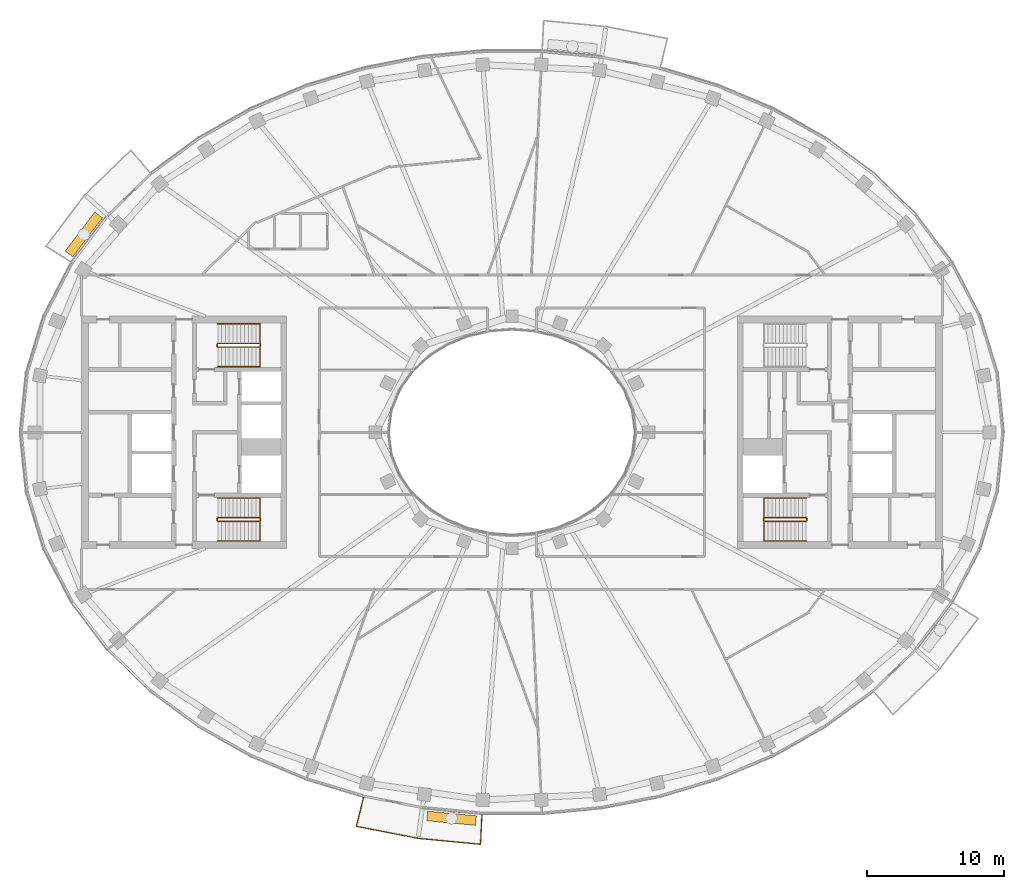
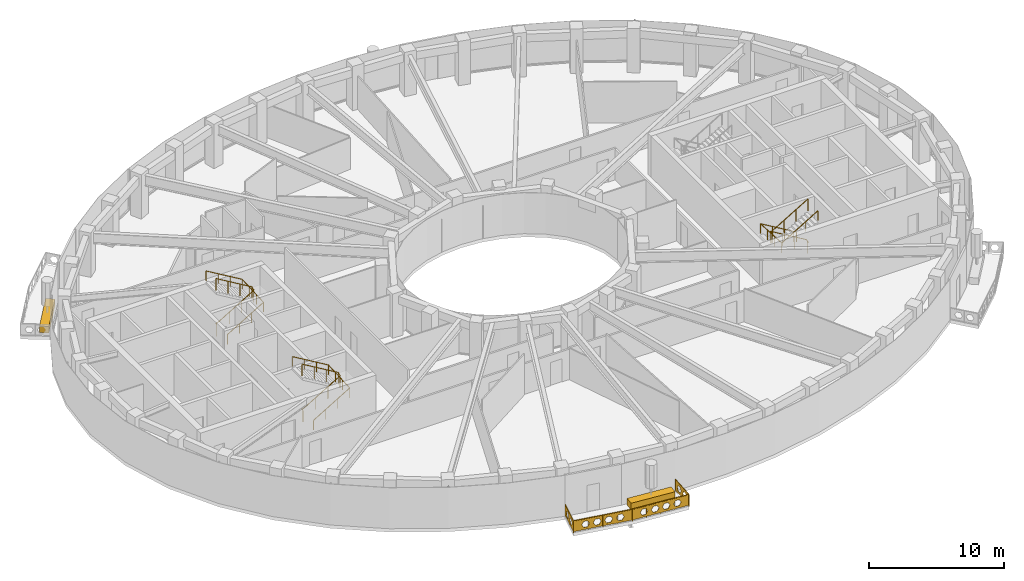
# One storey, part 14 of 16: 7 railings, 2 coverings.
"""IFC4 building model written with IfcOpenShell, lengths in metres."""

from ifc_helpers import new_model, si_unit, direction, frame, origin, origin_2d, place, context, subcontext, project, spatial, polyline, rectangle, outline, extrude, material, type_object, element, save


model = new_model("IFC4")

# Units and contexts
model_context = context("Model", 3, precision=1e-05, world=origin(), true_north=direction((0.0, 1.0)))
body_context = subcontext(model_context, "Body", "Model", "MODEL_VIEW")
ifc_project = project(units=[si_unit("LENGTHUNIT", "METRE"), si_unit("AREAUNIT", "SQUARE_METRE"), si_unit("VOLUMEUNIT", "CUBIC_METRE"), si_unit("PLANEANGLEUNIT", "RADIAN"), si_unit("MASSUNIT", "GRAM", prefix="KILO")], contexts=[model_context])

# Site, building, storey
site_placement = place(None, origin())
site = spatial("IfcSite", under=ifc_project, at=site_placement, CompositionType="ELEMENT")
building_placement = place(site_placement, origin())
building = spatial("IfcBuilding", under=site, at=building_placement, Name="Noorbagh Ring Tower", CompositionType="ELEMENT")
storey_placement = place(building_placement, frame((0.0, 0.0, 303.0)))
storey = spatial("IfcBuildingStorey", under=building, at=storey_placement, Name="L65", CompositionType="ELEMENT", Elevation=303.0)

# Railings
ifc_material_1 = material(Name="Stainless steel", Category="steel")
railing_type_1 = type_object("IfcRailingType", Name="CORE-STAIR-GUARD", PredefinedType="GUARDRAIL", material=ifc_material_1)
railing_1_placement = place(storey_placement, frame((-21.580078125, 6.300048828125, 0.0)))
element("IfcRailing", 1, at=railing_1_placement, inside=storey, type_object=railing_type_1, Name="L65 ST1 stair guard", PredefinedType="GUARDRAIL", context=body_context, shape_type="SweptSolid", body=[
    extrude(rectangle(XDim=0.048095703125, YDim=0.048095703125, at=origin_2d()), frame((0.0, 0.0, 1.076171875), z_axis=(0.0, 1.0, 0.0), x_axis=(-1.0, 0.0, 0.0)), (0.0, 0.0, 1.0), 0.14990234375),
    extrude(rectangle(XDim=0.048095703125, YDim=0.048095703125, at=origin_2d()), frame((0.0, 0.14990234375, 1.076171875), z_axis=(0.188775798145, -0.754182335027, 0.628945707965), x_axis=(0.970072785993, 0.242814311512, 0.0)), (0.0, 0.0, 1.0), 0.26513671875),
    extrude(rectangle(XDim=0.048095703125, YDim=0.048095703125, at=origin_2d()), frame((0.050048828125, -0.050048828125, 1.24267578125), z_axis=(0.859308565015, 0.0, 0.511457515432), x_axis=(0.0, 1.0, 0.0)), (0.0, 0.0, 1.0), 3.58447265625),
    extrude(rectangle(XDim=0.048095703125, YDim=0.048095703125, at=origin_2d()), frame((3.130126953125, -0.050048828125, 3.076171875), z_axis=(0.707106781187, 0.707106781187, 0.0), x_axis=(-0.707106781187, 0.707106781187, 0.0)), (0.0, 0.0, 1.0), 0.07080078125),
    extrude(rectangle(XDim=0.048095703125, YDim=0.048095703125, at=origin_2d()), frame((3.18017578125, 0.0, 3.076171875), z_axis=(0.0, 1.0, 0.0), x_axis=(-1.0, 0.0, 0.0)), (0.0, 0.0, 1.0), 0.14990234375),
    extrude(rectangle(XDim=0.048095703125, YDim=0.048095703125, at=origin_2d()), frame((3.18017578125, 0.14990234375, 3.076171875), z_axis=(-0.27628659633, 0.27628659633, 0.920506074601), x_axis=(-0.707106781187, -0.707106781187, 0.0)), (0.0, 0.0, 1.0), 0.18115234375),
    extrude(rectangle(XDim=0.048095703125, YDim=0.048095703125, at=origin_2d()), frame((3.130126953125, 0.199951171875, 3.24267578125), z_axis=(-0.859308565015, 0.0, 0.511457515432), x_axis=(0.0, -1.0, 0.0)), (0.0, 0.0, 1.0), 3.58447265625),
    extrude(rectangle(XDim=0.0419921875, YDim=0.0419921875, at=origin_2d()), origin(), (0.0, 0.0, 1.0), 1.052001953125),
    extrude(rectangle(XDim=0.0419921875, YDim=0.0419921875, at=origin_2d()), frame((1.07666015625, -0.050048828125, 0.77783203125)), (0.0, 0.0, 1.0), 1.052001953125),
    extrude(rectangle(XDim=0.0419921875, YDim=0.0419921875, at=origin_2d()), frame((2.103515625, -0.050048828125, 1.388916015625)), (0.0, 0.0, 1.0), 1.052001953125),
    extrude(rectangle(XDim=0.0419921875, YDim=0.0419921875, at=origin_2d()), frame((3.130126953125, -0.050048828125, 2.0)), (0.0, 0.0, 1.0), 1.052001953125),
    extrude(rectangle(XDim=0.0419921875, YDim=0.0419921875, at=origin_2d()), frame((3.130126953125, 0.199951171875, 2.166748046875)), (0.0, 0.0, 1.0), 1.052001953125),
    extrude(rectangle(XDim=0.0419921875, YDim=0.0419921875, at=origin_2d()), frame((2.103515625, 0.199951171875, 2.77783203125)), (0.0, 0.0, 1.0), 1.052001953125),
    extrude(rectangle(XDim=0.0419921875, YDim=0.0419921875, at=origin_2d()), frame((1.07666015625, 0.199951171875, 3.388916015625)), (0.0, 0.0, 1.0), 1.052001953125),
    extrude(rectangle(XDim=0.0419921875, YDim=0.0419921875, at=origin_2d()), frame((0.050048828125, 0.199951171875, 4.0)), (0.0, 0.0, 1.0), 1.052001953125),
])
railing_2_placement = place(storey_placement, frame((-21.580078125, -6.449951171875, 0.0)))
element("IfcRailing", 2, at=railing_2_placement, inside=storey, type_object=railing_type_1, Name="L65 ST2 stair guard", PredefinedType="GUARDRAIL", context=body_context, shape_type="SweptSolid", body=[
    extrude(rectangle(XDim=0.048095703125, YDim=0.048095703125, at=origin_2d()), frame((0.0, 0.0, 1.076171875), z_axis=(0.0, 1.0, 0.0), x_axis=(-1.0, 0.0, 0.0)), (0.0, 0.0, 1.0), 0.14990234375),
    extrude(rectangle(XDim=0.048095703125, YDim=0.048095703125, at=origin_2d()), frame((0.0, 0.14990234375, 1.076171875), z_axis=(0.188775798145, -0.754182335027, 0.628945707965), x_axis=(0.970072785993, 0.242814311512, 0.0)), (0.0, 0.0, 1.0), 0.26513671875),
    extrude(rectangle(XDim=0.048095703125, YDim=0.048095703125, at=origin_2d()), frame((0.050048828125, -0.050048828125, 1.24267578125), z_axis=(0.859308565015, 0.0, 0.511457515432), x_axis=(0.0, 1.0, 0.0)), (0.0, 0.0, 1.0), 3.58447265625),
    extrude(rectangle(XDim=0.048095703125, YDim=0.048095703125, at=origin_2d()), frame((3.130126953125, -0.050048828125, 3.076171875), z_axis=(0.707106781187, 0.707106781187, 0.0), x_axis=(-0.707106781187, 0.707106781187, 0.0)), (0.0, 0.0, 1.0), 0.07080078125),
    extrude(rectangle(XDim=0.048095703125, YDim=0.048095703125, at=origin_2d()), frame((3.18017578125, 0.0, 3.076171875), z_axis=(0.0, 1.0, 0.0), x_axis=(-1.0, 0.0, 0.0)), (0.0, 0.0, 1.0), 0.14990234375),
    extrude(rectangle(XDim=0.048095703125, YDim=0.048095703125, at=origin_2d()), frame((3.18017578125, 0.14990234375, 3.076171875), z_axis=(-0.27628659633, 0.27628659633, 0.920506074601), x_axis=(-0.707106781187, -0.707106781187, 0.0)), (0.0, 0.0, 1.0), 0.18115234375),
    extrude(rectangle(XDim=0.048095703125, YDim=0.048095703125, at=origin_2d()), frame((3.130126953125, 0.199951171875, 3.24267578125), z_axis=(-0.859308565015, 0.0, 0.511457515432), x_axis=(0.0, -1.0, 0.0)), (0.0, 0.0, 1.0), 3.58447265625),
    extrude(rectangle(XDim=0.0419921875, YDim=0.0419921875, at=origin_2d()), origin(), (0.0, 0.0, 1.0), 1.052001953125),
    extrude(rectangle(XDim=0.0419921875, YDim=0.0419921875, at=origin_2d()), frame((1.07666015625, -0.050048828125, 0.77783203125)), (0.0, 0.0, 1.0), 1.052001953125),
    extrude(rectangle(XDim=0.0419921875, YDim=0.0419921875, at=origin_2d()), frame((2.103515625, -0.050048828125, 1.388916015625)), (0.0, 0.0, 1.0), 1.052001953125),
    extrude(rectangle(XDim=0.0419921875, YDim=0.0419921875, at=origin_2d()), frame((3.130126953125, -0.050048828125, 2.0)), (0.0, 0.0, 1.0), 1.052001953125),
    extrude(rectangle(XDim=0.0419921875, YDim=0.0419921875, at=origin_2d()), frame((3.130126953125, 0.199951171875, 2.166748046875)), (0.0, 0.0, 1.0), 1.052001953125),
    extrude(rectangle(XDim=0.0419921875, YDim=0.0419921875, at=origin_2d()), frame((2.103515625, 0.199951171875, 2.77783203125)), (0.0, 0.0, 1.0), 1.052001953125),
    extrude(rectangle(XDim=0.0419921875, YDim=0.0419921875, at=origin_2d()), frame((1.07666015625, 0.199951171875, 3.388916015625)), (0.0, 0.0, 1.0), 1.052001953125),
    extrude(rectangle(XDim=0.0419921875, YDim=0.0419921875, at=origin_2d()), frame((0.050048828125, 0.199951171875, 4.0)), (0.0, 0.0, 1.0), 1.052001953125),
])
railing_3_placement = place(storey_placement, frame((21.580078125, -6.300048828125, 0.0)))
element("IfcRailing", 3, at=railing_3_placement, inside=storey, type_object=railing_type_1, Name="L65 ST4 stair guard", PredefinedType="GUARDRAIL", context=body_context, shape_type="SweptSolid", body=[
    extrude(rectangle(XDim=0.048095703125, YDim=0.048095703125, at=origin_2d()), frame((0.0, 0.0, 1.076171875), z_axis=(0.0, -1.0, 0.0), x_axis=(1.0, 0.0, 0.0)), (0.0, 0.0, 1.0), 0.14990234375),
    extrude(rectangle(XDim=0.048095703125, YDim=0.048095703125, at=origin_2d()), frame((0.0, -0.14990234375, 1.076171875), z_axis=(-0.188775798145, 0.754182335027, 0.628945707965), x_axis=(-0.970072785993, -0.242814311512, 0.0)), (0.0, 0.0, 1.0), 0.26513671875),
    extrude(rectangle(XDim=0.048095703125, YDim=0.048095703125, at=origin_2d()), frame((-0.050048828125, 0.050048828125, 1.24267578125), z_axis=(-0.859308565015, 0.0, 0.511457515432), x_axis=(0.0, -1.0, 0.0)), (0.0, 0.0, 1.0), 3.58447265625),
    extrude(rectangle(XDim=0.048095703125, YDim=0.048095703125, at=origin_2d()), frame((-3.130126953125, 0.050048828125, 3.076171875), z_axis=(-0.707106781187, -0.707106781187, 0.0), x_axis=(0.707106781187, -0.707106781187, 0.0)), (0.0, 0.0, 1.0), 0.07080078125),
    extrude(rectangle(XDim=0.048095703125, YDim=0.048095703125, at=origin_2d()), frame((-3.18017578125, 0.0, 3.076171875), z_axis=(0.0, -1.0, 0.0), x_axis=(1.0, 0.0, 0.0)), (0.0, 0.0, 1.0), 0.14990234375),
    extrude(rectangle(XDim=0.048095703125, YDim=0.048095703125, at=origin_2d()), frame((-3.18017578125, -0.14990234375, 3.076171875), z_axis=(0.27628659633, -0.27628659633, 0.920506074601), x_axis=(0.707106781187, 0.707106781187, 0.0)), (0.0, 0.0, 1.0), 0.18115234375),
    extrude(rectangle(XDim=0.048095703125, YDim=0.048095703125, at=origin_2d()), frame((-3.130126953125, -0.199951171875, 3.24267578125), z_axis=(0.859308565015, 0.0, 0.511457515432), x_axis=(0.0, 1.0, 0.0)), (0.0, 0.0, 1.0), 3.58447265625),
    extrude(rectangle(XDim=0.0419921875, YDim=0.0419921875, at=origin_2d()), origin(), (0.0, 0.0, 1.0), 1.052001953125),
    extrude(rectangle(XDim=0.0419921875, YDim=0.0419921875, at=origin_2d()), frame((-1.07666015625, 0.050048828125, 0.77783203125)), (0.0, 0.0, 1.0), 1.052001953125),
    extrude(rectangle(XDim=0.0419921875, YDim=0.0419921875, at=origin_2d()), frame((-2.103515625, 0.050048828125, 1.388916015625)), (0.0, 0.0, 1.0), 1.052001953125),
    extrude(rectangle(XDim=0.0419921875, YDim=0.0419921875, at=origin_2d()), frame((-3.130126953125, 0.050048828125, 2.0)), (0.0, 0.0, 1.0), 1.052001953125),
    extrude(rectangle(XDim=0.0419921875, YDim=0.0419921875, at=origin_2d()), frame((-3.130126953125, -0.199951171875, 2.166748046875)), (0.0, 0.0, 1.0), 1.052001953125),
    extrude(rectangle(XDim=0.0419921875, YDim=0.0419921875, at=origin_2d()), frame((-2.103515625, -0.199951171875, 2.77783203125)), (0.0, 0.0, 1.0), 1.052001953125),
    extrude(rectangle(XDim=0.0419921875, YDim=0.0419921875, at=origin_2d()), frame((-1.07666015625, -0.199951171875, 3.388916015625)), (0.0, 0.0, 1.0), 1.052001953125),
    extrude(rectangle(XDim=0.0419921875, YDim=0.0419921875, at=origin_2d()), frame((-0.050048828125, -0.199951171875, 4.0)), (0.0, 0.0, 1.0), 1.052001953125),
])
ifc_material_2 = material(Name="Stainless steel", Category="steel")
railing_type_2 = type_object("IfcRailingType", Name="CORE-STAIR-HANDRAIL", PredefinedType="HANDRAIL", material=ifc_material_2)
railing_4_placement = place(storey_placement, frame((-21.530029296875, 4.800048828125, 0.166748046875)))
element("IfcRailing", 4, at=railing_4_placement, inside=storey, type_object=railing_type_2, Name="L65 ST1 stair handrail", PredefinedType="HANDRAIL", context=body_context, shape_type="SweptSolid", body=[
    extrude(rectangle(XDim=0.048095703125, YDim=0.048095703125, at=origin_2d()), frame((0.0, 0.0, 0.8759765625), z_axis=(0.859308565015, 0.0, 0.511457515432), x_axis=(0.0, 1.0, 0.0)), (0.0, 0.0, 1.0), 3.58447265625),
    extrude(rectangle(XDim=0.048095703125, YDim=0.048095703125, at=origin_2d()), frame((3.080078125, 0.0, 2.708984375), z_axis=(0.0, 0.998601747152, 0.052863509014), x_axis=(-1.0, 0.0, 0.0)), (0.0, 0.0, 1.0), 3.154296875),
    extrude(rectangle(XDim=0.048095703125, YDim=0.048095703125, at=origin_2d()), frame((3.080078125, 3.14990234375, 2.8759765625), z_axis=(-0.859308565015, 0.0, 0.511457515432), x_axis=(0.0, -1.0, 0.0)), (0.0, 0.0, 1.0), 3.58447265625),
    extrude(rectangle(XDim=0.0419921875, YDim=0.0419921875, at=origin_2d()), origin(), (0.0, 0.0, 1.0), 0.851806640625),
    extrude(rectangle(XDim=0.0419921875, YDim=0.0419921875, at=origin_2d()), frame((1.026611328125, 0.0, 0.611083984375)), (0.0, 0.0, 1.0), 0.851806640625),
    extrude(rectangle(XDim=0.0419921875, YDim=0.0419921875, at=origin_2d()), frame((2.053466796875, 0.0, 1.22216796875)), (0.0, 0.0, 1.0), 0.851806640625),
    extrude(rectangle(XDim=0.0419921875, YDim=0.0419921875, at=origin_2d()), frame((3.080078125, 0.0, 1.833251953125)), (0.0, 0.0, 1.0), 0.851806640625),
    extrude(rectangle(XDim=0.0419921875, YDim=0.0419921875, at=origin_2d()), frame((3.080078125, 1.050048828125, 1.888916015625)), (0.0, 0.0, 1.0), 0.851806640625),
    extrude(rectangle(XDim=0.0419921875, YDim=0.0419921875, at=origin_2d()), frame((3.080078125, 2.099853515625, 1.9443359375)), (0.0, 0.0, 1.0), 0.851806640625),
    extrude(rectangle(XDim=0.0419921875, YDim=0.0419921875, at=origin_2d()), frame((3.080078125, 3.14990234375, 2.0)), (0.0, 0.0, 1.0), 0.851806640625),
    extrude(rectangle(XDim=0.0419921875, YDim=0.0419921875, at=origin_2d()), frame((2.053466796875, 3.14990234375, 2.611083984375)), (0.0, 0.0, 1.0), 0.851806640625),
    extrude(rectangle(XDim=0.0419921875, YDim=0.0419921875, at=origin_2d()), frame((1.026611328125, 3.14990234375, 3.22216796875)), (0.0, 0.0, 1.0), 0.851806640625),
    extrude(rectangle(XDim=0.0419921875, YDim=0.0419921875, at=origin_2d()), frame((0.0, 3.14990234375, 3.833251953125)), (0.0, 0.0, 1.0), 0.851806640625),
])
railing_5_placement = place(storey_placement, frame((-21.530029296875, -7.949951171875, 0.166748046875)))
element("IfcRailing", 5, at=railing_5_placement, inside=storey, type_object=railing_type_2, Name="L65 ST2 stair handrail", PredefinedType="HANDRAIL", context=body_context, shape_type="SweptSolid", body=[
    extrude(rectangle(XDim=0.048095703125, YDim=0.048095703125, at=origin_2d()), frame((0.0, 0.0, 0.8759765625), z_axis=(0.859308565015, 0.0, 0.511457515432), x_axis=(0.0, 1.0, 0.0)), (0.0, 0.0, 1.0), 3.58447265625),
    extrude(rectangle(XDim=0.048095703125, YDim=0.048095703125, at=origin_2d()), frame((3.080078125, 0.0, 2.708984375), z_axis=(0.0, 0.998601747152, 0.052863509014), x_axis=(-1.0, 0.0, 0.0)), (0.0, 0.0, 1.0), 3.154296875),
    extrude(rectangle(XDim=0.048095703125, YDim=0.048095703125, at=origin_2d()), frame((3.080078125, 3.14990234375, 2.8759765625), z_axis=(-0.859308565015, 0.0, 0.511457515432), x_axis=(0.0, -1.0, 0.0)), (0.0, 0.0, 1.0), 3.58447265625),
    extrude(rectangle(XDim=0.0419921875, YDim=0.0419921875, at=origin_2d()), origin(), (0.0, 0.0, 1.0), 0.851806640625),
    extrude(rectangle(XDim=0.0419921875, YDim=0.0419921875, at=origin_2d()), frame((1.026611328125, 0.0, 0.611083984375)), (0.0, 0.0, 1.0), 0.851806640625),
    extrude(rectangle(XDim=0.0419921875, YDim=0.0419921875, at=origin_2d()), frame((2.053466796875, 0.0, 1.22216796875)), (0.0, 0.0, 1.0), 0.851806640625),
    extrude(rectangle(XDim=0.0419921875, YDim=0.0419921875, at=origin_2d()), frame((3.080078125, 0.0, 1.833251953125)), (0.0, 0.0, 1.0), 0.851806640625),
    extrude(rectangle(XDim=0.0419921875, YDim=0.0419921875, at=origin_2d()), frame((3.080078125, 1.050048828125, 1.888916015625)), (0.0, 0.0, 1.0), 0.851806640625),
    extrude(rectangle(XDim=0.0419921875, YDim=0.0419921875, at=origin_2d()), frame((3.080078125, 2.099853515625, 1.9443359375)), (0.0, 0.0, 1.0), 0.851806640625),
    extrude(rectangle(XDim=0.0419921875, YDim=0.0419921875, at=origin_2d()), frame((3.080078125, 3.14990234375, 2.0)), (0.0, 0.0, 1.0), 0.851806640625),
    extrude(rectangle(XDim=0.0419921875, YDim=0.0419921875, at=origin_2d()), frame((2.053466796875, 3.14990234375, 2.611083984375)), (0.0, 0.0, 1.0), 0.851806640625),
    extrude(rectangle(XDim=0.0419921875, YDim=0.0419921875, at=origin_2d()), frame((1.026611328125, 3.14990234375, 3.22216796875)), (0.0, 0.0, 1.0), 0.851806640625),
    extrude(rectangle(XDim=0.0419921875, YDim=0.0419921875, at=origin_2d()), frame((0.0, 3.14990234375, 3.833251953125)), (0.0, 0.0, 1.0), 0.851806640625),
])
railing_6_placement = place(storey_placement, frame((21.530029296875, -4.800048828125, 0.166748046875)))
element("IfcRailing", 6, at=railing_6_placement, inside=storey, type_object=railing_type_2, Name="L65 ST4 stair handrail", PredefinedType="HANDRAIL", context=body_context, shape_type="SweptSolid", body=[
    extrude(rectangle(XDim=0.048095703125, YDim=0.048095703125, at=origin_2d()), frame((0.0, 0.0, 0.8759765625), z_axis=(-0.859308565015, 0.0, 0.511457515432), x_axis=(0.0, -1.0, 0.0)), (0.0, 0.0, 1.0), 3.58447265625),
    extrude(rectangle(XDim=0.048095703125, YDim=0.048095703125, at=origin_2d()), frame((-3.080078125, 0.0, 2.708984375), z_axis=(0.0, -0.998601747152, 0.052863509014), x_axis=(1.0, 0.0, 0.0)), (0.0, 0.0, 1.0), 3.154296875),
    extrude(rectangle(XDim=0.048095703125, YDim=0.048095703125, at=origin_2d()), frame((-3.080078125, -3.14990234375, 2.8759765625), z_axis=(0.859308565015, 0.0, 0.511457515432), x_axis=(0.0, 1.0, 0.0)), (0.0, 0.0, 1.0), 3.58447265625),
    extrude(rectangle(XDim=0.0419921875, YDim=0.0419921875, at=origin_2d()), origin(), (0.0, 0.0, 1.0), 0.851806640625),
    extrude(rectangle(XDim=0.0419921875, YDim=0.0419921875, at=origin_2d()), frame((-1.026611328125, 0.0, 0.611083984375)), (0.0, 0.0, 1.0), 0.851806640625),
    extrude(rectangle(XDim=0.0419921875, YDim=0.0419921875, at=origin_2d()), frame((-2.053466796875, 0.0, 1.22216796875)), (0.0, 0.0, 1.0), 0.851806640625),
    extrude(rectangle(XDim=0.0419921875, YDim=0.0419921875, at=origin_2d()), frame((-3.080078125, 0.0, 1.833251953125)), (0.0, 0.0, 1.0), 0.851806640625),
    extrude(rectangle(XDim=0.0419921875, YDim=0.0419921875, at=origin_2d()), frame((-3.080078125, -1.050048828125, 1.888916015625)), (0.0, 0.0, 1.0), 0.851806640625),
    extrude(rectangle(XDim=0.0419921875, YDim=0.0419921875, at=origin_2d()), frame((-3.080078125, -2.099853515625, 1.9443359375)), (0.0, 0.0, 1.0), 0.851806640625),
    extrude(rectangle(XDim=0.0419921875, YDim=0.0419921875, at=origin_2d()), frame((-3.080078125, -3.14990234375, 2.0)), (0.0, 0.0, 1.0), 0.851806640625),
    extrude(rectangle(XDim=0.0419921875, YDim=0.0419921875, at=origin_2d()), frame((-2.053466796875, -3.14990234375, 2.611083984375)), (0.0, 0.0, 1.0), 0.851806640625),
    extrude(rectangle(XDim=0.0419921875, YDim=0.0419921875, at=origin_2d()), frame((-1.026611328125, -3.14990234375, 3.22216796875)), (0.0, 0.0, 1.0), 0.851806640625),
    extrude(rectangle(XDim=0.0419921875, YDim=0.0419921875, at=origin_2d()), frame((0.0, -3.14990234375, 3.833251953125)), (0.0, 0.0, 1.0), 0.851806640625),
])
ifc_material_3 = material(Name="Steel S275 black powder-coated", Category="steel")
railing_type_3 = type_object("IfcRailingType", Name="ENV-GUARD", PredefinedType="GUARDRAIL", material=ifc_material_3)
railing_7_placement = place(storey_placement, frame((-10.865234375, -26.6943359375, 0.0)))
element("IfcRailing", 7, at=railing_7_placement, inside=storey, type_object=railing_type_3, Name="Balcony guard BS03", PredefinedType="GUARDRAIL", context=body_context, shape_type="SweptSolid", body=[
    extrude(rectangle(XDim=0.048095703125, YDim=0.048095703125, at=origin_2d()), frame((0.0, 0.0, 1.076171875), z_axis=(-0.239848558412, -0.970810315679, 0.0), x_axis=(0.970810315679, -0.239848558412, 0.0)), (0.0, 0.0, 1.0), 2.20263671875),
    extrude(rectangle(XDim=0.048095703125, YDim=0.048095703125, at=origin_2d()), frame((-0.5283203125, -2.138427734375, 1.076171875), z_axis=(0.981625049064, -0.1908199755, 0.0), x_axis=(0.1908199755, 0.981625049064, 0.0)), (0.0, 0.0, 1.0), 4.603271484375),
    extrude(rectangle(XDim=0.048095703125, YDim=0.048095703125, at=origin_2d()), frame((3.990478515625, -3.016845703125, 1.076171875), z_axis=(0.995477555764, -0.094997031379, 0.0), x_axis=(0.094997031379, 0.995477555764, 0.0)), (0.0, 0.0, 1.0), 4.59765625),
    extrude(rectangle(XDim=0.048095703125, YDim=0.048095703125, at=origin_2d()), frame((8.5673828125, -3.45361328125, 1.076171875), z_axis=(0.047554616162, 0.998868639252, 0.0), x_axis=(-0.998868639252, 0.047554616162, 0.0)), (0.0, 0.0, 1.0), 2.202392578125),
    extrude(rectangle(XDim=0.0419921875, YDim=0.0419921875, at=origin_2d()), origin(), (0.0, 0.0, 1.0), 1.052001953125),
    extrude(rectangle(XDim=0.0419921875, YDim=0.0419921875, at=origin_2d()), frame((-0.26416015625, -1.0693359375, 0.0)), (0.0, 0.0, 1.0), 1.052001953125),
    extrude(rectangle(XDim=0.0419921875, YDim=0.0419921875, at=origin_2d()), frame((-0.5283203125, -2.138427734375, 0.0)), (0.0, 0.0, 1.0), 1.052001953125),
    extrude(rectangle(XDim=0.0419921875, YDim=0.0419921875, at=origin_2d()), frame((0.601318359375, -2.35791015625, 0.0)), (0.0, 0.0, 1.0), 1.052001953125),
    extrude(rectangle(XDim=0.0419921875, YDim=0.0419921875, at=origin_2d()), frame((1.73095703125, -2.57763671875, 0.0)), (0.0, 0.0, 1.0), 1.052001953125),
    extrude(rectangle(XDim=0.0419921875, YDim=0.0419921875, at=origin_2d()), frame((2.86083984375, -2.79736328125, 0.0)), (0.0, 0.0, 1.0), 1.052001953125),
    extrude(rectangle(XDim=0.0419921875, YDim=0.0419921875, at=origin_2d()), frame((3.990478515625, -3.016845703125, 0.0)), (0.0, 0.0, 1.0), 1.052001953125),
    extrude(rectangle(XDim=0.0419921875, YDim=0.0419921875, at=origin_2d()), frame((5.134765625, -3.1259765625, 0.0)), (0.0, 0.0, 1.0), 1.052001953125),
    extrude(rectangle(XDim=0.0419921875, YDim=0.0419921875, at=origin_2d()), frame((6.27880859375, -3.2353515625, 0.0)), (0.0, 0.0, 1.0), 1.052001953125),
    extrude(rectangle(XDim=0.0419921875, YDim=0.0419921875, at=origin_2d()), frame((7.423095703125, -3.344482421875, 0.0)), (0.0, 0.0, 1.0), 1.052001953125),
    extrude(rectangle(XDim=0.0419921875, YDim=0.0419921875, at=origin_2d()), frame((8.5673828125, -3.45361328125, 0.0)), (0.0, 0.0, 1.0), 1.052001953125),
    extrude(rectangle(XDim=0.0419921875, YDim=0.0419921875, at=origin_2d()), frame((8.61962890625, -2.353515625, 0.0)), (0.0, 0.0, 1.0), 1.052001953125),
    extrude(rectangle(XDim=0.0419921875, YDim=0.0419921875, at=origin_2d()), frame((8.672119140625, -1.253662109375, 0.0)), (0.0, 0.0, 1.0), 1.052001953125),
    extrude(outline(polyline([(0.0, 0.10009765625), (2.20263671875, 0.10009765625), (2.20263671875, 1.031982421875), (0.0, 1.031982421875), (0.0, 0.10009765625)]), holes=[polyline([(0.96142578125, 0.56591796875), (0.806396484375, 0.83447265625), (0.496337890625, 0.83447265625), (0.34130859375, 0.56591796875), (0.496337890625, 0.297607421875), (0.806396484375, 0.297607421875), (0.96142578125, 0.56591796875)]), polyline([(1.861328125, 0.56591796875), (1.706298828125, 0.83447265625), (1.396240234375, 0.83447265625), (1.241455078125, 0.56591796875), (1.396240234375, 0.297607421875), (1.706298828125, 0.297607421875), (1.861328125, 0.56591796875)])]), frame((0.009765625, -0.00244140625, 0.0), z_axis=(-0.970810315679, 0.239848558412, 0.0), x_axis=(-0.239848558412, -0.970810315679, 0.0)), (0.0, 0.0, 1.0), 0.02001953125),
    extrude(outline(polyline([(0.0, 0.10009765625), (4.603271484375, 0.10009765625), (4.603271484375, 1.031982421875), (0.0, 1.031982421875), (0.0, 0.10009765625)]), holes=[polyline([(1.26171875, 0.56591796875), (1.106689453125, 0.83447265625), (0.796630859375, 0.83447265625), (0.6416015625, 0.56591796875), (0.796630859375, 0.297607421875), (1.106689453125, 0.297607421875), (1.26171875, 0.56591796875)]), polyline([(2.16162109375, 0.56591796875), (2.006591796875, 0.83447265625), (1.69677734375, 0.83447265625), (1.541748046875, 0.56591796875), (1.69677734375, 0.297607421875), (2.006591796875, 0.297607421875), (2.16162109375, 0.56591796875)]), polyline([(3.061767578125, 0.56591796875), (2.90673828125, 0.83447265625), (2.5966796875, 0.83447265625), (2.441650390625, 0.56591796875), (2.5966796875, 0.297607421875), (2.90673828125, 0.297607421875), (3.061767578125, 0.56591796875)]), polyline([(3.961669921875, 0.56591796875), (3.806640625, 0.83447265625), (3.49658203125, 0.83447265625), (3.341796875, 0.56591796875), (3.49658203125, 0.297607421875), (3.806640625, 0.297607421875), (3.961669921875, 0.56591796875)])]), frame((-0.5263671875, -2.128662109375, 0.0), z_axis=(-0.1908199755, -0.981625049064, 0.0), x_axis=(0.981625049064, -0.1908199755, 0.0)), (0.0, 0.0, 1.0), 0.02001953125),
    extrude(outline(polyline([(0.0, 0.10009765625), (4.59765625, 0.10009765625), (4.59765625, 1.031982421875), (0.0, 1.031982421875), (0.0, 0.10009765625)]), holes=[polyline([(1.2587890625, 0.56591796875), (1.103759765625, 0.83447265625), (0.7939453125, 0.83447265625), (0.638916015625, 0.56591796875), (0.7939453125, 0.297607421875), (1.103759765625, 0.297607421875), (1.2587890625, 0.56591796875)]), polyline([(2.158935546875, 0.56591796875), (2.00390625, 0.83447265625), (1.69384765625, 0.83447265625), (1.538818359375, 0.56591796875), (1.69384765625, 0.297607421875), (2.00390625, 0.297607421875), (2.158935546875, 0.56591796875)]), polyline([(3.058837890625, 0.56591796875), (2.90380859375, 0.83447265625), (2.59375, 0.83447265625), (2.43896484375, 0.56591796875), (2.59375, 0.297607421875), (2.90380859375, 0.297607421875), (3.058837890625, 0.56591796875)]), polyline([(3.958740234375, 0.56591796875), (3.803955078125, 0.83447265625), (3.493896484375, 0.83447265625), (3.3388671875, 0.56591796875), (3.493896484375, 0.297607421875), (3.803955078125, 0.297607421875), (3.958740234375, 0.56591796875)])]), frame((3.991455078125, -3.0068359375, 0.0), z_axis=(-0.094997031379, -0.995477555764, 0.0), x_axis=(0.995477555764, -0.094997031379, 0.0)), (0.0, 0.0, 1.0), 0.02001953125),
    extrude(outline(polyline([(0.0, 0.10009765625), (2.202392578125, 0.10009765625), (2.202392578125, 1.031982421875), (0.0, 1.031982421875), (0.0, 0.10009765625)]), holes=[polyline([(0.961181640625, 0.56591796875), (0.80615234375, 0.83447265625), (0.496337890625, 0.83447265625), (0.34130859375, 0.56591796875), (0.496337890625, 0.297607421875), (0.80615234375, 0.297607421875), (0.961181640625, 0.56591796875)]), polyline([(1.861328125, 0.56591796875), (1.706298828125, 0.83447265625), (1.396240234375, 0.83447265625), (1.2412109375, 0.56591796875), (1.396240234375, 0.297607421875), (1.706298828125, 0.297607421875), (1.861328125, 0.56591796875)])]), frame((8.557373046875, -3.453125, 0.0), z_axis=(0.998868639252, -0.047554616162, 0.0), x_axis=(0.047554616162, 0.998868639252, 0.0)), (0.0, 0.0, 1.0), 0.02001953125),
])

# Coverings
ifc_material_4 = material(Name="Concrete C30/37 planter with soil", Category="concrete")
covering_type = type_object("IfcCoveringType", Name="ENV-PLANTER", PredefinedType="CLADDING", material=ifc_material_4)
covering_1_placement = place(storey_placement, frame((-31.329833984375, 14.4833984375, 0.0), z_axis=(0.0, 0.0, 1.0), x_axis=(-0.604020184358, -0.796969018776, 0.0)))
element("IfcCovering", 8, at=covering_1_placement, inside=storey, type_object=covering_type, Name="PLANTER BN06", ObjectType="PLANTER", PredefinedType="CLADDING", context=body_context, shape_type="SweptSolid", body=[
    extrude(rectangle(XDim=3.583251953125, YDim=0.699951171875, at=origin_2d()), origin(), (0.0, 0.0, 1.0), 0.60009765625),
])
covering_2_placement = place(storey_placement, frame((-4.423828125, -28.2373046875, 0.0), z_axis=(0.0, 0.0, 1.0), x_axis=(0.995476497323, -0.095008122171, 0.0)))
element("IfcCovering", 9, at=covering_2_placement, inside=storey, type_object=covering_type, Name="PLANTER BS03", ObjectType="PLANTER", PredefinedType="CLADDING", context=body_context, shape_type="SweptSolid", body=[
    extrude(rectangle(XDim=3.58642578125, YDim=0.699951171875, at=origin_2d()), origin(), (0.0, 0.0, 1.0), 0.60009765625),
])

save(model, "model.ifc")
